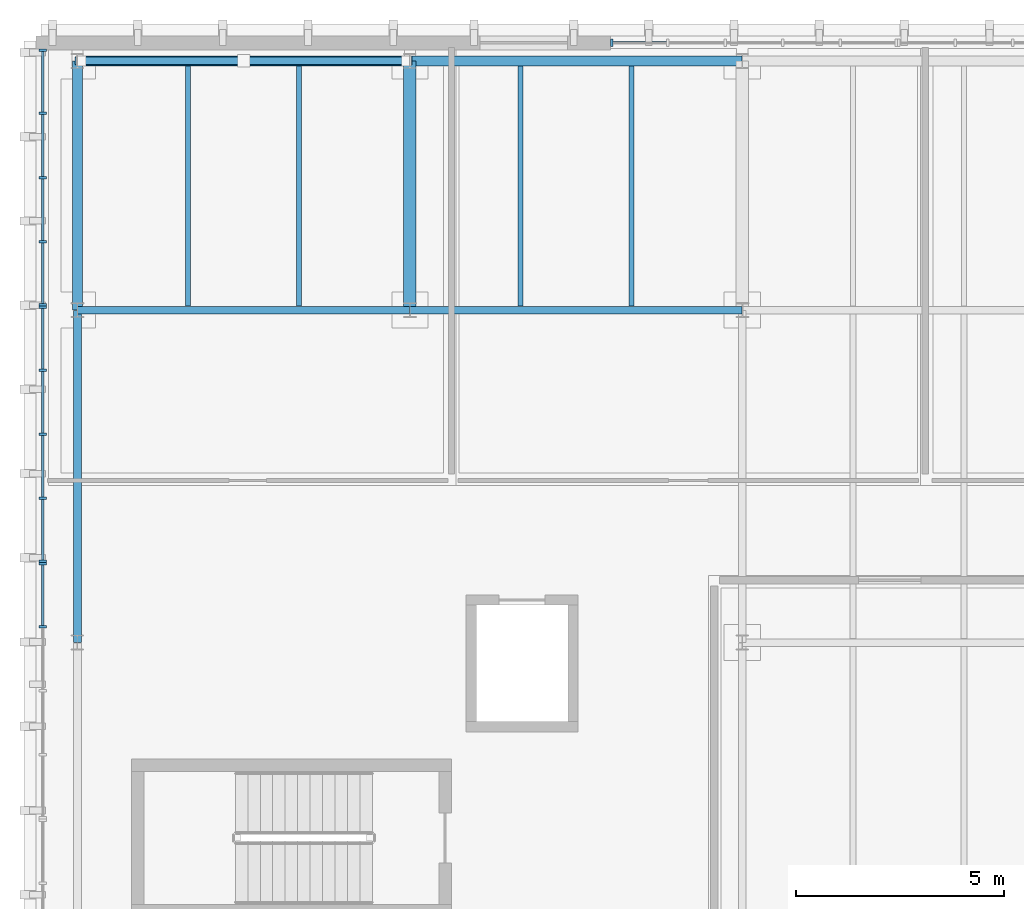
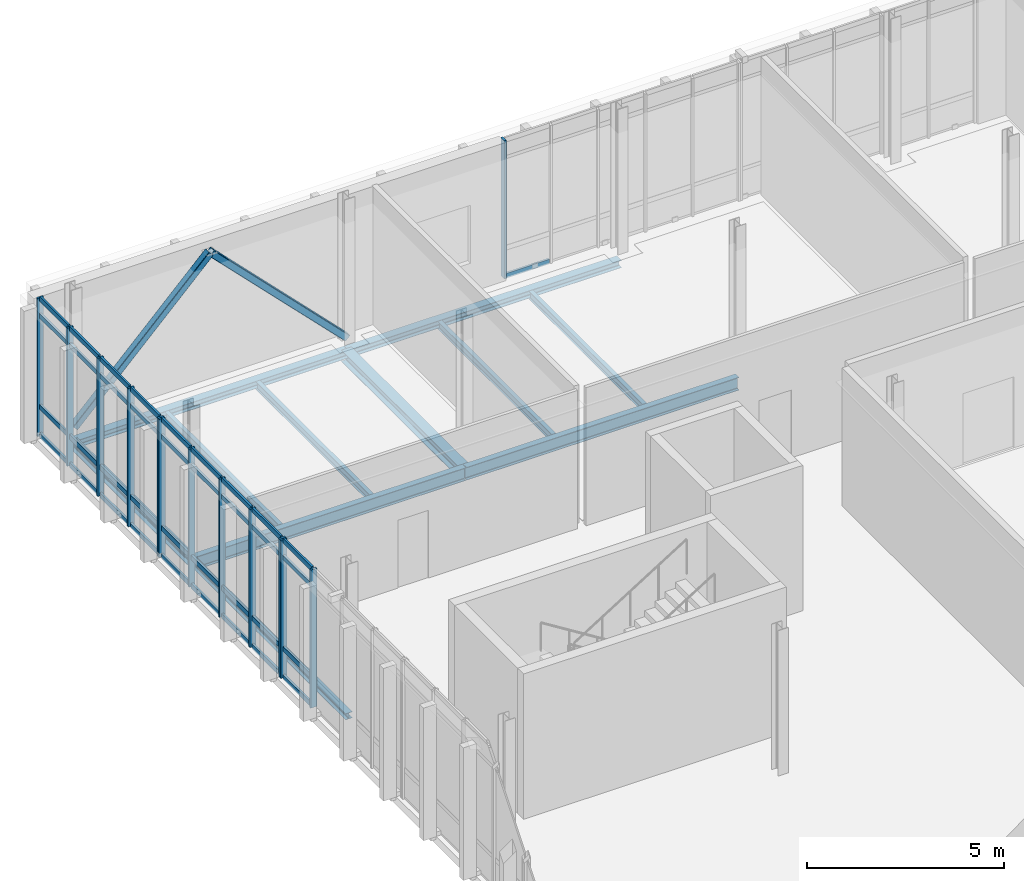
# One storey, part 22 of 62: 52 members, 11 beams, 4 elements without a shape of their own.
"""IFC4 building model written with IfcOpenShell, lengths in metres."""

from ifc_helpers import new_model, si_unit, direction, frame, origin, origin_2d, place, context, subcontext, project, spatial, rectangle, hollow_rectangle, i_section, extrude, material, material_profile, profile_set, type_object, element, aggregate, save


model = new_model("IFC4")

# Units and contexts
model_context = context("Model", 3, precision=1e-05, world=origin(), true_north=direction((0.0, 1.0)))
body_context = subcontext(model_context, "Body", "Model", "MODEL_VIEW")
ifc_project = project(units=[si_unit("LENGTHUNIT", "METRE"), si_unit("AREAUNIT", "SQUARE_METRE"), si_unit("VOLUMEUNIT", "CUBIC_METRE"), si_unit("PLANEANGLEUNIT", "RADIAN"), si_unit("MASSUNIT", "GRAM", prefix="KILO")], contexts=[model_context])

# Site, building, storey
site_placement = place(None, origin())
site = spatial("IfcSite", under=ifc_project, at=site_placement, CompositionType="ELEMENT")
building_placement = place(site_placement, origin())
building = spatial("IfcBuilding", under=site, at=building_placement, Name="Cymarion Research Institute", CompositionType="ELEMENT")
storey_placement = place(building_placement, frame((0.0, 0.0, 18.300048828125)))
storey = spatial("IfcBuildingStorey", under=building, at=storey_placement, Name="L04", CompositionType="ELEMENT", Elevation=18.300048828125)

# Curtain wall, member
ifc_material_1 = material(Name="Anodised aluminium unitised curtain wall with Low-E glazing", Category="aluminium")
curtain_wall_type_1 = type_object("IfcCurtainWallType", Name="UNITISED CURTAIN WALL CW44 6910X4280", PredefinedType="NOTDEFINED", material=ifc_material_1)
curtain_wall_1_placement = place(storey_placement, origin())
curtain_wall_1 = element("IfcCurtainWall", 1, at=curtain_wall_1_placement, inside=storey, type_object=curtain_wall_type_1, Name="L04 V5 unitised curtain wall CW44 #194", PredefinedType="NOTDEFINED")
ifc_material_2 = material(Name="Anodised aluminium framing", Category="aluminium")
ifc_material_profile_1 = material_profile(ifc_material_2, rectangle(XDim=0.06005859375, YDim=0.179931640625, at=origin_2d()), Name="ALU MULLION 60x180")
ifc_profile_set_1 = profile_set([ifc_material_profile_1], Name="Anodised aluminium framing")
member_type_1 = type_object("IfcMemberType", Name="CURTAIN WALL MULLION ML01 60X180", PredefinedType="MULLION", material=ifc_profile_set_1)
member_1_placement = place(storey_placement, frame((19.4560546875, 115.929931640625, 0.0), z_axis=(0.0, 0.0, 1.0), x_axis=(-1.0, 0.0, 0.0)))
member_1 = element("IfcMember", 2, at=member_1_placement, type_object=member_type_1, Name="CW44 mullion 6", PredefinedType="MULLION", context=body_context, shape_type="SweptSolid", body=[
    extrude(rectangle(XDim=0.06005859375, YDim=0.179931640625, at=origin_2d()), origin(), (0.0, 0.0, 1.0), 4.280029296875),
])

# Curtain wall, members
curtain_wall_type_2 = type_object("IfcCurtainWallType", Name="UNITISED CURTAIN WALL CW45 6180X4280", PredefinedType="NOTDEFINED", material=ifc_material_1)
curtain_wall_2_placement = place(storey_placement, origin())
curtain_wall_2 = element("IfcCurtainWall", 3, at=curtain_wall_2_placement, inside=storey, type_object=curtain_wall_type_2, Name="L04 V5 unitised curtain wall CW45 #195", PredefinedType="NOTDEFINED")
member_2_placement = place(storey_placement, frame((5.77001953125, 115.748046875, 0.0), z_axis=(0.0, 0.0, 1.0), x_axis=(0.0, -1.0, 0.0)))
member_2 = element("IfcMember", 4, at=member_2_placement, type_object=member_type_1, Name="CW45 mullion 1", PredefinedType="MULLION", context=body_context, shape_type="SweptSolid", body=[
    extrude(rectangle(XDim=0.06005859375, YDim=0.179931640625, at=origin_2d()), origin(), (0.0, 0.0, 1.0), 4.280029296875),
])
member_3_placement = place(storey_placement, frame((5.77001953125, 114.234130859375, 0.0), z_axis=(0.0, 0.0, 1.0), x_axis=(0.0, -1.0, 0.0)))
member_3 = element("IfcMember", 5, at=member_3_placement, type_object=member_type_1, Name="CW45 mullion 2", PredefinedType="MULLION", context=body_context, shape_type="SweptSolid", body=[
    extrude(rectangle(XDim=0.06005859375, YDim=0.179931640625, at=origin_2d()), origin(), (0.0, 0.0, 1.0), 4.280029296875),
])
member_4_placement = place(storey_placement, frame((5.77001953125, 112.690185546875, 0.0), z_axis=(0.0, 0.0, 1.0), x_axis=(0.0, -1.0, 0.0)))
member_4 = element("IfcMember", 6, at=member_4_placement, type_object=member_type_1, Name="CW45 mullion 3", PredefinedType="MULLION", context=body_context, shape_type="SweptSolid", body=[
    extrude(rectangle(XDim=0.06005859375, YDim=0.179931640625, at=origin_2d()), origin(), (0.0, 0.0, 1.0), 4.280029296875),
])
member_5_placement = place(storey_placement, frame((5.77001953125, 111.146240234375, 0.0), z_axis=(0.0, 0.0, 1.0), x_axis=(0.0, -1.0, 0.0)))
member_5 = element("IfcMember", 7, at=member_5_placement, type_object=member_type_1, Name="CW45 mullion 4", PredefinedType="MULLION", context=body_context, shape_type="SweptSolid", body=[
    extrude(rectangle(XDim=0.06005859375, YDim=0.179931640625, at=origin_2d()), origin(), (0.0, 0.0, 1.0), 4.280029296875),
])
member_6_placement = place(storey_placement, frame((5.77001953125, 109.63232421875, 0.0), z_axis=(0.0, 0.0, 1.0), x_axis=(0.0, -1.0, 0.0)))
member_6 = element("IfcMember", 8, at=member_6_placement, type_object=member_type_1, Name="CW45 mullion 5", PredefinedType="MULLION", context=body_context, shape_type="SweptSolid", body=[
    extrude(rectangle(XDim=0.06005859375, YDim=0.179931640625, at=origin_2d()), origin(), (0.0, 0.0, 1.0), 4.280029296875),
])

curtain_wall_3_placement = place(storey_placement, origin())
curtain_wall_3 = element("IfcCurtainWall", 9, at=curtain_wall_3_placement, inside=storey, type_object=curtain_wall_type_2, Name="L04 V5 unitised curtain wall CW45 #196", PredefinedType="NOTDEFINED")
member_7_placement = place(storey_placement, frame((5.77001953125, 109.572509765625, 0.0), z_axis=(0.0, 0.0, 1.0), x_axis=(0.0, -1.0, 0.0)))
member_7 = element("IfcMember", 10, at=member_7_placement, type_object=member_type_1, Name="CW45 mullion 1", PredefinedType="MULLION", context=body_context, shape_type="SweptSolid", body=[
    extrude(rectangle(XDim=0.06005859375, YDim=0.179931640625, at=origin_2d()), origin(), (0.0, 0.0, 1.0), 4.280029296875),
])
member_8_placement = place(storey_placement, frame((5.77001953125, 108.05859375, 0.0), z_axis=(0.0, 0.0, 1.0), x_axis=(0.0, -1.0, 0.0)))
member_8 = element("IfcMember", 11, at=member_8_placement, type_object=member_type_1, Name="CW45 mullion 2", PredefinedType="MULLION", context=body_context, shape_type="SweptSolid", body=[
    extrude(rectangle(XDim=0.06005859375, YDim=0.179931640625, at=origin_2d()), origin(), (0.0, 0.0, 1.0), 4.280029296875),
])
member_9_placement = place(storey_placement, frame((5.77001953125, 106.5146484375, 0.0), z_axis=(0.0, 0.0, 1.0), x_axis=(0.0, -1.0, 0.0)))
member_9 = element("IfcMember", 12, at=member_9_placement, type_object=member_type_1, Name="CW45 mullion 3", PredefinedType="MULLION", context=body_context, shape_type="SweptSolid", body=[
    extrude(rectangle(XDim=0.06005859375, YDim=0.179931640625, at=origin_2d()), origin(), (0.0, 0.0, 1.0), 4.280029296875),
])
member_10_placement = place(storey_placement, frame((5.77001953125, 104.970703125, 0.0), z_axis=(0.0, 0.0, 1.0), x_axis=(0.0, -1.0, 0.0)))
member_10 = element("IfcMember", 13, at=member_10_placement, type_object=member_type_1, Name="CW45 mullion 4", PredefinedType="MULLION", context=body_context, shape_type="SweptSolid", body=[
    extrude(rectangle(XDim=0.06005859375, YDim=0.179931640625, at=origin_2d()), origin(), (0.0, 0.0, 1.0), 4.280029296875),
])
member_11_placement = place(storey_placement, frame((5.77001953125, 103.456787109375, 0.0), z_axis=(0.0, 0.0, 1.0), x_axis=(0.0, -1.0, 0.0)))
member_11 = element("IfcMember", 14, at=member_11_placement, type_object=member_type_1, Name="CW45 mullion 5", PredefinedType="MULLION", context=body_context, shape_type="SweptSolid", body=[
    extrude(rectangle(XDim=0.06005859375, YDim=0.179931640625, at=origin_2d()), origin(), (0.0, 0.0, 1.0), 4.280029296875),
])

curtain_wall_4_placement = place(storey_placement, origin())
curtain_wall_4 = element("IfcCurtainWall", 15, at=curtain_wall_4_placement, inside=storey, type_object=curtain_wall_type_2, Name="L04 V5 unitised curtain wall CW45 #197", PredefinedType="NOTDEFINED")
member_12_placement = place(storey_placement, frame((5.77001953125, 103.396728515625, 0.0), z_axis=(0.0, 0.0, 1.0), x_axis=(0.0, -1.0, 0.0)))
member_12 = element("IfcMember", 16, at=member_12_placement, type_object=member_type_1, Name="CW45 mullion 1", PredefinedType="MULLION", context=body_context, shape_type="SweptSolid", body=[
    extrude(rectangle(XDim=0.06005859375, YDim=0.179931640625, at=origin_2d()), origin(), (0.0, 0.0, 1.0), 4.280029296875),
])
member_13_placement = place(storey_placement, frame((5.77001953125, 101.8828125, 0.0), z_axis=(0.0, 0.0, 1.0), x_axis=(0.0, -1.0, 0.0)))
member_13 = element("IfcMember", 17, at=member_13_placement, type_object=member_type_1, Name="CW45 mullion 2", PredefinedType="MULLION", context=body_context, shape_type="SweptSolid", body=[
    extrude(rectangle(XDim=0.06005859375, YDim=0.179931640625, at=origin_2d()), origin(), (0.0, 0.0, 1.0), 4.280029296875),
])

# Member
ifc_material_profile_2 = material_profile(ifc_material_2, rectangle(XDim=0.06005859375, YDim=0.14990234375, at=origin_2d()), Name="ALU TRANSOM 60x150")
ifc_profile_set_2 = profile_set([ifc_material_profile_2], Name="Anodised aluminium framing")
member_type_2 = type_object("IfcMemberType", Name="CURTAIN WALL TRANSOM TR01 60X150", PredefinedType="USERDEFINED", material=ifc_profile_set_2)
member_14_placement = place(storey_placement, frame((20.778564453125, 115.929931640625, 0.030029296875), z_axis=(-1.0, 0.0, 0.0), x_axis=(0.0, -1.0, 0.0)))
member_14 = element("IfcMember", 18, at=member_14_placement, type_object=member_type_2, Name="CW44 transom 5.1", ObjectType="TRANSOM", PredefinedType="USERDEFINED", context=body_context, shape_type="SweptSolid", body=[
    extrude(rectangle(XDim=0.06005859375, YDim=0.14990234375, at=origin_2d()), origin(), (0.0, 0.0, 1.0), 1.29248046875),
])

aggregate(curtain_wall_1, [member_1, member_14])

member_15_placement = place(storey_placement, frame((5.77001953125, 115.718017578125, 0.030029296875), z_axis=(0.0, -1.0, 0.0), x_axis=(1.0, 0.0, 0.0)))
member_15 = element("IfcMember", 19, at=member_15_placement, type_object=member_type_2, Name="CW45 transom 1.1", ObjectType="TRANSOM", PredefinedType="USERDEFINED", context=body_context, shape_type="SweptSolid", body=[
    extrude(rectangle(XDim=0.06005859375, YDim=0.14990234375, at=origin_2d()), origin(), (0.0, 0.0, 1.0), 1.453857421875),
])

member_16_placement = place(storey_placement, frame((5.77001953125, 115.718017578125, 0.89990234375), z_axis=(0.0, -1.0, 0.0), x_axis=(1.0, 0.0, 0.0)))
member_16 = element("IfcMember", 20, at=member_16_placement, type_object=member_type_2, Name="CW45 transom 1.2", ObjectType="TRANSOM", PredefinedType="USERDEFINED", context=body_context, shape_type="SweptSolid", body=[
    extrude(rectangle(XDim=0.06005859375, YDim=0.14990234375, at=origin_2d()), origin(), (0.0, 0.0, 1.0), 1.453857421875),
])

member_17_placement = place(storey_placement, frame((5.77001953125, 115.718017578125, 3.72998046875), z_axis=(0.0, -1.0, 0.0), x_axis=(1.0, 0.0, 0.0)))
member_17 = element("IfcMember", 21, at=member_17_placement, type_object=member_type_2, Name="CW45 transom 1.3", ObjectType="TRANSOM", PredefinedType="USERDEFINED", context=body_context, shape_type="SweptSolid", body=[
    extrude(rectangle(XDim=0.06005859375, YDim=0.14990234375, at=origin_2d()), origin(), (0.0, 0.0, 1.0), 1.453857421875),
])

member_18_placement = place(storey_placement, frame((5.77001953125, 115.718017578125, 4.25), z_axis=(0.0, -1.0, 0.0), x_axis=(1.0, 0.0, 0.0)))
member_18 = element("IfcMember", 22, at=member_18_placement, type_object=member_type_2, Name="CW45 transom 1.4", ObjectType="TRANSOM", PredefinedType="USERDEFINED", context=body_context, shape_type="SweptSolid", body=[
    extrude(rectangle(XDim=0.06005859375, YDim=0.14990234375, at=origin_2d()), origin(), (0.0, 0.0, 1.0), 1.453857421875),
])

member_19_placement = place(storey_placement, frame((5.77001953125, 114.2041015625, 0.030029296875), z_axis=(0.0, -1.0, 0.0), x_axis=(1.0, 0.0, 0.0)))
member_19 = element("IfcMember", 23, at=member_19_placement, type_object=member_type_2, Name="CW45 transom 2.1", ObjectType="TRANSOM", PredefinedType="USERDEFINED", context=body_context, shape_type="SweptSolid", body=[
    extrude(rectangle(XDim=0.06005859375, YDim=0.14990234375, at=origin_2d()), origin(), (0.0, 0.0, 1.0), 1.48388671875),
])

member_20_placement = place(storey_placement, frame((5.77001953125, 114.2041015625, 0.89990234375), z_axis=(0.0, -1.0, 0.0), x_axis=(1.0, 0.0, 0.0)))
member_20 = element("IfcMember", 24, at=member_20_placement, type_object=member_type_2, Name="CW45 transom 2.2", ObjectType="TRANSOM", PredefinedType="USERDEFINED", context=body_context, shape_type="SweptSolid", body=[
    extrude(rectangle(XDim=0.06005859375, YDim=0.14990234375, at=origin_2d()), origin(), (0.0, 0.0, 1.0), 1.48388671875),
])

member_21_placement = place(storey_placement, frame((5.77001953125, 114.2041015625, 3.72998046875), z_axis=(0.0, -1.0, 0.0), x_axis=(1.0, 0.0, 0.0)))
member_21 = element("IfcMember", 25, at=member_21_placement, type_object=member_type_2, Name="CW45 transom 2.3", ObjectType="TRANSOM", PredefinedType="USERDEFINED", context=body_context, shape_type="SweptSolid", body=[
    extrude(rectangle(XDim=0.06005859375, YDim=0.14990234375, at=origin_2d()), origin(), (0.0, 0.0, 1.0), 1.48388671875),
])

member_22_placement = place(storey_placement, frame((5.77001953125, 114.2041015625, 4.25), z_axis=(0.0, -1.0, 0.0), x_axis=(1.0, 0.0, 0.0)))
member_22 = element("IfcMember", 26, at=member_22_placement, type_object=member_type_2, Name="CW45 transom 2.4", ObjectType="TRANSOM", PredefinedType="USERDEFINED", context=body_context, shape_type="SweptSolid", body=[
    extrude(rectangle(XDim=0.06005859375, YDim=0.14990234375, at=origin_2d()), origin(), (0.0, 0.0, 1.0), 1.48388671875),
])

member_23_placement = place(storey_placement, frame((5.77001953125, 112.66015625, 0.030029296875), z_axis=(0.0, -1.0, 0.0), x_axis=(1.0, 0.0, 0.0)))
member_23 = element("IfcMember", 27, at=member_23_placement, type_object=member_type_2, Name="CW45 transom 3.1", ObjectType="TRANSOM", PredefinedType="USERDEFINED", context=body_context, shape_type="SweptSolid", body=[
    extrude(rectangle(XDim=0.06005859375, YDim=0.14990234375, at=origin_2d()), origin(), (0.0, 0.0, 1.0), 1.48388671875),
])

member_24_placement = place(storey_placement, frame((5.77001953125, 112.66015625, 0.89990234375), z_axis=(0.0, -1.0, 0.0), x_axis=(1.0, 0.0, 0.0)))
member_24 = element("IfcMember", 28, at=member_24_placement, type_object=member_type_2, Name="CW45 transom 3.2", ObjectType="TRANSOM", PredefinedType="USERDEFINED", context=body_context, shape_type="SweptSolid", body=[
    extrude(rectangle(XDim=0.06005859375, YDim=0.14990234375, at=origin_2d()), origin(), (0.0, 0.0, 1.0), 1.48388671875),
])

member_25_placement = place(storey_placement, frame((5.77001953125, 112.66015625, 3.72998046875), z_axis=(0.0, -1.0, 0.0), x_axis=(1.0, 0.0, 0.0)))
member_25 = element("IfcMember", 29, at=member_25_placement, type_object=member_type_2, Name="CW45 transom 3.3", ObjectType="TRANSOM", PredefinedType="USERDEFINED", context=body_context, shape_type="SweptSolid", body=[
    extrude(rectangle(XDim=0.06005859375, YDim=0.14990234375, at=origin_2d()), origin(), (0.0, 0.0, 1.0), 1.48388671875),
])

member_26_placement = place(storey_placement, frame((5.77001953125, 112.66015625, 4.25), z_axis=(0.0, -1.0, 0.0), x_axis=(1.0, 0.0, 0.0)))
member_26 = element("IfcMember", 30, at=member_26_placement, type_object=member_type_2, Name="CW45 transom 3.4", ObjectType="TRANSOM", PredefinedType="USERDEFINED", context=body_context, shape_type="SweptSolid", body=[
    extrude(rectangle(XDim=0.06005859375, YDim=0.14990234375, at=origin_2d()), origin(), (0.0, 0.0, 1.0), 1.48388671875),
])

member_27_placement = place(storey_placement, frame((5.77001953125, 111.1162109375, 0.030029296875), z_axis=(0.0, -1.0, 0.0), x_axis=(1.0, 0.0, 0.0)))
member_27 = element("IfcMember", 31, at=member_27_placement, type_object=member_type_2, Name="CW45 transom 4.1", ObjectType="TRANSOM", PredefinedType="USERDEFINED", context=body_context, shape_type="SweptSolid", body=[
    extrude(rectangle(XDim=0.06005859375, YDim=0.14990234375, at=origin_2d()), origin(), (0.0, 0.0, 1.0), 1.453857421875),
])

member_28_placement = place(storey_placement, frame((5.77001953125, 111.1162109375, 0.89990234375), z_axis=(0.0, -1.0, 0.0), x_axis=(1.0, 0.0, 0.0)))
member_28 = element("IfcMember", 32, at=member_28_placement, type_object=member_type_2, Name="CW45 transom 4.2", ObjectType="TRANSOM", PredefinedType="USERDEFINED", context=body_context, shape_type="SweptSolid", body=[
    extrude(rectangle(XDim=0.06005859375, YDim=0.14990234375, at=origin_2d()), origin(), (0.0, 0.0, 1.0), 1.453857421875),
])

member_29_placement = place(storey_placement, frame((5.77001953125, 111.1162109375, 3.72998046875), z_axis=(0.0, -1.0, 0.0), x_axis=(1.0, 0.0, 0.0)))
member_29 = element("IfcMember", 33, at=member_29_placement, type_object=member_type_2, Name="CW45 transom 4.3", ObjectType="TRANSOM", PredefinedType="USERDEFINED", context=body_context, shape_type="SweptSolid", body=[
    extrude(rectangle(XDim=0.06005859375, YDim=0.14990234375, at=origin_2d()), origin(), (0.0, 0.0, 1.0), 1.453857421875),
])

member_30_placement = place(storey_placement, frame((5.77001953125, 111.1162109375, 4.25), z_axis=(0.0, -1.0, 0.0), x_axis=(1.0, 0.0, 0.0)))
member_30 = element("IfcMember", 34, at=member_30_placement, type_object=member_type_2, Name="CW45 transom 4.4", ObjectType="TRANSOM", PredefinedType="USERDEFINED", context=body_context, shape_type="SweptSolid", body=[
    extrude(rectangle(XDim=0.06005859375, YDim=0.14990234375, at=origin_2d()), origin(), (0.0, 0.0, 1.0), 1.453857421875),
])

aggregate(curtain_wall_2, [member_2, member_3, member_4, member_5, member_6, member_15, member_16, member_17, member_18, member_19, member_20, member_21, member_22, member_23, member_24, member_25, member_26, member_27, member_28, member_29, member_30])

member_31_placement = place(storey_placement, frame((5.77001953125, 109.54248046875, 0.030029296875), z_axis=(0.0, -1.0, 0.0), x_axis=(1.0, 0.0, 0.0)))
member_31 = element("IfcMember", 35, at=member_31_placement, type_object=member_type_2, Name="CW45 transom 1.1", ObjectType="TRANSOM", PredefinedType="USERDEFINED", context=body_context, shape_type="SweptSolid", body=[
    extrude(rectangle(XDim=0.06005859375, YDim=0.14990234375, at=origin_2d()), origin(), (0.0, 0.0, 1.0), 1.4541015625),
])

member_32_placement = place(storey_placement, frame((5.77001953125, 109.54248046875, 0.89990234375), z_axis=(0.0, -1.0, 0.0), x_axis=(1.0, 0.0, 0.0)))
member_32 = element("IfcMember", 36, at=member_32_placement, type_object=member_type_2, Name="CW45 transom 1.2", ObjectType="TRANSOM", PredefinedType="USERDEFINED", context=body_context, shape_type="SweptSolid", body=[
    extrude(rectangle(XDim=0.06005859375, YDim=0.14990234375, at=origin_2d()), origin(), (0.0, 0.0, 1.0), 1.4541015625),
])

member_33_placement = place(storey_placement, frame((5.77001953125, 109.54248046875, 3.72998046875), z_axis=(0.0, -1.0, 0.0), x_axis=(1.0, 0.0, 0.0)))
member_33 = element("IfcMember", 37, at=member_33_placement, type_object=member_type_2, Name="CW45 transom 1.3", ObjectType="TRANSOM", PredefinedType="USERDEFINED", context=body_context, shape_type="SweptSolid", body=[
    extrude(rectangle(XDim=0.06005859375, YDim=0.14990234375, at=origin_2d()), origin(), (0.0, 0.0, 1.0), 1.4541015625),
])

member_34_placement = place(storey_placement, frame((5.77001953125, 109.54248046875, 4.25), z_axis=(0.0, -1.0, 0.0), x_axis=(1.0, 0.0, 0.0)))
member_34 = element("IfcMember", 38, at=member_34_placement, type_object=member_type_2, Name="CW45 transom 1.4", ObjectType="TRANSOM", PredefinedType="USERDEFINED", context=body_context, shape_type="SweptSolid", body=[
    extrude(rectangle(XDim=0.06005859375, YDim=0.14990234375, at=origin_2d()), origin(), (0.0, 0.0, 1.0), 1.4541015625),
])

member_35_placement = place(storey_placement, frame((5.77001953125, 108.028564453125, 0.030029296875), z_axis=(0.0, -1.0, 0.0), x_axis=(1.0, 0.0, 0.0)))
member_35 = element("IfcMember", 39, at=member_35_placement, type_object=member_type_2, Name="CW45 transom 2.1", ObjectType="TRANSOM", PredefinedType="USERDEFINED", context=body_context, shape_type="SweptSolid", body=[
    extrude(rectangle(XDim=0.06005859375, YDim=0.14990234375, at=origin_2d()), origin(), (0.0, 0.0, 1.0), 1.48388671875),
])

member_36_placement = place(storey_placement, frame((5.77001953125, 108.028564453125, 0.89990234375), z_axis=(0.0, -1.0, 0.0), x_axis=(1.0, 0.0, 0.0)))
member_36 = element("IfcMember", 40, at=member_36_placement, type_object=member_type_2, Name="CW45 transom 2.2", ObjectType="TRANSOM", PredefinedType="USERDEFINED", context=body_context, shape_type="SweptSolid", body=[
    extrude(rectangle(XDim=0.06005859375, YDim=0.14990234375, at=origin_2d()), origin(), (0.0, 0.0, 1.0), 1.48388671875),
])

member_37_placement = place(storey_placement, frame((5.77001953125, 108.028564453125, 3.72998046875), z_axis=(0.0, -1.0, 0.0), x_axis=(1.0, 0.0, 0.0)))
member_37 = element("IfcMember", 41, at=member_37_placement, type_object=member_type_2, Name="CW45 transom 2.3", ObjectType="TRANSOM", PredefinedType="USERDEFINED", context=body_context, shape_type="SweptSolid", body=[
    extrude(rectangle(XDim=0.06005859375, YDim=0.14990234375, at=origin_2d()), origin(), (0.0, 0.0, 1.0), 1.48388671875),
])

member_38_placement = place(storey_placement, frame((5.77001953125, 108.028564453125, 4.25), z_axis=(0.0, -1.0, 0.0), x_axis=(1.0, 0.0, 0.0)))
member_38 = element("IfcMember", 42, at=member_38_placement, type_object=member_type_2, Name="CW45 transom 2.4", ObjectType="TRANSOM", PredefinedType="USERDEFINED", context=body_context, shape_type="SweptSolid", body=[
    extrude(rectangle(XDim=0.06005859375, YDim=0.14990234375, at=origin_2d()), origin(), (0.0, 0.0, 1.0), 1.48388671875),
])

member_39_placement = place(storey_placement, frame((5.77001953125, 106.484619140625, 0.030029296875), z_axis=(0.0, -1.0, 0.0), x_axis=(1.0, 0.0, 0.0)))
member_39 = element("IfcMember", 43, at=member_39_placement, type_object=member_type_2, Name="CW45 transom 3.1", ObjectType="TRANSOM", PredefinedType="USERDEFINED", context=body_context, shape_type="SweptSolid", body=[
    extrude(rectangle(XDim=0.06005859375, YDim=0.14990234375, at=origin_2d()), origin(), (0.0, 0.0, 1.0), 1.48388671875),
])

member_40_placement = place(storey_placement, frame((5.77001953125, 106.484619140625, 0.89990234375), z_axis=(0.0, -1.0, 0.0), x_axis=(1.0, 0.0, 0.0)))
member_40 = element("IfcMember", 44, at=member_40_placement, type_object=member_type_2, Name="CW45 transom 3.2", ObjectType="TRANSOM", PredefinedType="USERDEFINED", context=body_context, shape_type="SweptSolid", body=[
    extrude(rectangle(XDim=0.06005859375, YDim=0.14990234375, at=origin_2d()), origin(), (0.0, 0.0, 1.0), 1.48388671875),
])

member_41_placement = place(storey_placement, frame((5.77001953125, 106.484619140625, 3.72998046875), z_axis=(0.0, -1.0, 0.0), x_axis=(1.0, 0.0, 0.0)))
member_41 = element("IfcMember", 45, at=member_41_placement, type_object=member_type_2, Name="CW45 transom 3.3", ObjectType="TRANSOM", PredefinedType="USERDEFINED", context=body_context, shape_type="SweptSolid", body=[
    extrude(rectangle(XDim=0.06005859375, YDim=0.14990234375, at=origin_2d()), origin(), (0.0, 0.0, 1.0), 1.48388671875),
])

member_42_placement = place(storey_placement, frame((5.77001953125, 106.484619140625, 4.25), z_axis=(0.0, -1.0, 0.0), x_axis=(1.0, 0.0, 0.0)))
member_42 = element("IfcMember", 46, at=member_42_placement, type_object=member_type_2, Name="CW45 transom 3.4", ObjectType="TRANSOM", PredefinedType="USERDEFINED", context=body_context, shape_type="SweptSolid", body=[
    extrude(rectangle(XDim=0.06005859375, YDim=0.14990234375, at=origin_2d()), origin(), (0.0, 0.0, 1.0), 1.48388671875),
])

member_43_placement = place(storey_placement, frame((5.77001953125, 104.940673828125, 0.030029296875), z_axis=(0.0, -1.0, 0.0), x_axis=(1.0, 0.0, 0.0)))
member_43 = element("IfcMember", 47, at=member_43_placement, type_object=member_type_2, Name="CW45 transom 4.1", ObjectType="TRANSOM", PredefinedType="USERDEFINED", context=body_context, shape_type="SweptSolid", body=[
    extrude(rectangle(XDim=0.06005859375, YDim=0.14990234375, at=origin_2d()), origin(), (0.0, 0.0, 1.0), 1.453857421875),
])

member_44_placement = place(storey_placement, frame((5.77001953125, 104.940673828125, 0.89990234375), z_axis=(0.0, -1.0, 0.0), x_axis=(1.0, 0.0, 0.0)))
member_44 = element("IfcMember", 48, at=member_44_placement, type_object=member_type_2, Name="CW45 transom 4.2", ObjectType="TRANSOM", PredefinedType="USERDEFINED", context=body_context, shape_type="SweptSolid", body=[
    extrude(rectangle(XDim=0.06005859375, YDim=0.14990234375, at=origin_2d()), origin(), (0.0, 0.0, 1.0), 1.453857421875),
])

member_45_placement = place(storey_placement, frame((5.77001953125, 104.940673828125, 3.72998046875), z_axis=(0.0, -1.0, 0.0), x_axis=(1.0, 0.0, 0.0)))
member_45 = element("IfcMember", 49, at=member_45_placement, type_object=member_type_2, Name="CW45 transom 4.3", ObjectType="TRANSOM", PredefinedType="USERDEFINED", context=body_context, shape_type="SweptSolid", body=[
    extrude(rectangle(XDim=0.06005859375, YDim=0.14990234375, at=origin_2d()), origin(), (0.0, 0.0, 1.0), 1.453857421875),
])

member_46_placement = place(storey_placement, frame((5.77001953125, 104.940673828125, 4.25), z_axis=(0.0, -1.0, 0.0), x_axis=(1.0, 0.0, 0.0)))
member_46 = element("IfcMember", 50, at=member_46_placement, type_object=member_type_2, Name="CW45 transom 4.4", ObjectType="TRANSOM", PredefinedType="USERDEFINED", context=body_context, shape_type="SweptSolid", body=[
    extrude(rectangle(XDim=0.06005859375, YDim=0.14990234375, at=origin_2d()), origin(), (0.0, 0.0, 1.0), 1.453857421875),
])

aggregate(curtain_wall_3, [member_7, member_8, member_9, member_10, member_11, member_31, member_32, member_33, member_34, member_35, member_36, member_37, member_38, member_39, member_40, member_41, member_42, member_43, member_44, member_45, member_46])

member_47_placement = place(storey_placement, frame((5.77001953125, 103.36669921875, 0.030029296875), z_axis=(0.0, -1.0, 0.0), x_axis=(1.0, 0.0, 0.0)))
member_47 = element("IfcMember", 51, at=member_47_placement, type_object=member_type_2, Name="CW45 transom 1.1", ObjectType="TRANSOM", PredefinedType="USERDEFINED", context=body_context, shape_type="SweptSolid", body=[
    extrude(rectangle(XDim=0.06005859375, YDim=0.14990234375, at=origin_2d()), origin(), (0.0, 0.0, 1.0), 1.453857421875),
])

member_48_placement = place(storey_placement, frame((5.77001953125, 103.36669921875, 0.89990234375), z_axis=(0.0, -1.0, 0.0), x_axis=(1.0, 0.0, 0.0)))
member_48 = element("IfcMember", 52, at=member_48_placement, type_object=member_type_2, Name="CW45 transom 1.2", ObjectType="TRANSOM", PredefinedType="USERDEFINED", context=body_context, shape_type="SweptSolid", body=[
    extrude(rectangle(XDim=0.06005859375, YDim=0.14990234375, at=origin_2d()), origin(), (0.0, 0.0, 1.0), 1.453857421875),
])

member_49_placement = place(storey_placement, frame((5.77001953125, 103.36669921875, 3.72998046875), z_axis=(0.0, -1.0, 0.0), x_axis=(1.0, 0.0, 0.0)))
member_49 = element("IfcMember", 53, at=member_49_placement, type_object=member_type_2, Name="CW45 transom 1.3", ObjectType="TRANSOM", PredefinedType="USERDEFINED", context=body_context, shape_type="SweptSolid", body=[
    extrude(rectangle(XDim=0.06005859375, YDim=0.14990234375, at=origin_2d()), origin(), (0.0, 0.0, 1.0), 1.453857421875),
])

member_50_placement = place(storey_placement, frame((5.77001953125, 103.36669921875, 4.25), z_axis=(0.0, -1.0, 0.0), x_axis=(1.0, 0.0, 0.0)))
member_50 = element("IfcMember", 54, at=member_50_placement, type_object=member_type_2, Name="CW45 transom 1.4", ObjectType="TRANSOM", PredefinedType="USERDEFINED", context=body_context, shape_type="SweptSolid", body=[
    extrude(rectangle(XDim=0.06005859375, YDim=0.14990234375, at=origin_2d()), origin(), (0.0, 0.0, 1.0), 1.453857421875),
])

aggregate(curtain_wall_4, [member_12, member_13, member_47, member_48, member_49, member_50])

# Beams
ifc_material_3 = material(Name="Steel S355", Category="steel")
ifc_material_profile_3 = material_profile(ifc_material_3, i_section(OverallWidth=0.179931640625, OverallDepth=0.39990234375, WebThickness=0.008544921875, FlangeThickness=0.013427734375, FilletRadius=0.02099609375, at=origin_2d()), Name="IPE 400")
ifc_profile_set_3 = profile_set([ifc_material_profile_3], Name="Steel S355")
beam_type_1 = type_object("IfcBeamType", Name="PRIMARY GIRDER BM05 IPE 400", PredefinedType="BEAM", material=ifc_profile_set_3)
for number, where, z_axis, x_axis, name in (
    (55, (6.60595703125, 109.5, -0.449951171875), (1.0, 0.0, 0.0), (0.0, 1.0, 0.0), "L04 V5 girder BM05 #1787"),
    (56, (14.60595703125, 109.5, -0.449951171875), (1.0, 0.0, 0.0), (0.0, 1.0, 0.0), "L04 V5 girder BM05 #1788"),
):
    element("IfcBeam", number, at=place(storey_placement, frame(where, z_axis=z_axis, x_axis=x_axis)), inside=storey, type_object=beam_type_1, Name=name, PredefinedType="BEAM", context=body_context, shape_type="SweptSolid", body=[
        extrude(i_section(OverallWidth=0.179931640625, OverallDepth=0.39990234375, WebThickness=0.008544921875, FlangeThickness=0.013427734375, FilletRadius=0.02099609375, at=origin_2d()), origin(), (0.0, 0.0, 1.0), 7.988037109375),
    ])
ifc_material_profile_4 = material_profile(ifc_material_3, i_section(OverallWidth=0.300048828125, OverallDepth=0.35009765625, WebThickness=0.010009765625, FlangeThickness=0.017578125, FilletRadius=0.027099609375, at=origin_2d()), Name="HEA 360")
ifc_profile_set_4 = profile_set([ifc_material_profile_4], Name="Steel S355")
beam_type_2 = type_object("IfcBeamType", Name="PRIMARY GIRDER BM12 HEA 360", PredefinedType="BEAM", material=ifc_profile_set_4)
beam_1_placement = place(storey_placement, frame((14.60009765625, 109.506103515625, -0.425048828125), z_axis=(0.0, 1.0, 0.0), x_axis=(-1.0, 0.0, 0.0)))
element("IfcBeam", 57, at=beam_1_placement, inside=storey, type_object=beam_type_2, Name="L04 V5 girder BM12 #1802", PredefinedType="BEAM", context=body_context, shape_type="SweptSolid", body=[
    extrude(i_section(OverallWidth=0.300048828125, OverallDepth=0.35009765625, WebThickness=0.010009765625, FlangeThickness=0.017578125, FilletRadius=0.027099609375, at=origin_2d()), origin(), (0.0, 0.0, 1.0), 5.98779296875),
])
ifc_material_profile_5 = material_profile(ifc_material_3, i_section(OverallWidth=0.1201171875, OverallDepth=0.239990234375, WebThickness=0.006103515625, FlangeThickness=0.009765625, FilletRadius=0.014892578125, at=origin_2d()), Name="IPE 240")
ifc_profile_set_5 = profile_set([ifc_material_profile_5], Name="Steel S355")
beam_type_3 = type_object("IfcBeamType", Name="SECONDARY JOIST JS04 IPE 240", PredefinedType="JOIST", material=ifc_profile_set_5)
for number, where, z_axis, x_axis, name in (
    (58, (9.2666015625, 109.593994140625, -0.3701171875), (0.0, 1.0, 0.0), (-1.0, 0.0, 0.0), "L04 V5 secondary joist JS04 #1835"),
    (59, (11.933349609375, 109.593994140625, -0.3701171875), (0.0, 1.0, 0.0), (-1.0, 0.0, 0.0), "L04 V5 secondary joist JS04 #1836"),
    (60, (17.2666015625, 109.593994140625, -0.3701171875), (0.0, 1.0, 0.0), (-1.0, 0.0, 0.0), "L04 V5 secondary joist JS04 #1837"),
    (61, (19.933349609375, 109.593994140625, -0.3701171875), (0.0, 1.0, 0.0), (-1.0, 0.0, 0.0), "L04 V5 secondary joist JS04 #1838"),
):
    element("IfcBeam", number, at=place(storey_placement, frame(where, z_axis=z_axis, x_axis=x_axis)), inside=storey, type_object=beam_type_3, Name=name, PredefinedType="JOIST", context=body_context, shape_type="SweptSolid", body=[
        extrude(i_section(OverallWidth=0.1201171875, OverallDepth=0.239990234375, WebThickness=0.006103515625, FlangeThickness=0.009765625, FilletRadius=0.014892578125, at=origin_2d()), origin(), (0.0, 0.0, 1.0), 5.781982421875),
    ])
ifc_material_profile_6 = material_profile(ifc_material_3, i_section(OverallWidth=0.239990234375, OverallDepth=0.22998046875, WebThickness=0.007568359375, FlangeThickness=0.011962890625, FilletRadius=0.02099609375, at=origin_2d()), Name="HEA 240")
ifc_profile_set_6 = profile_set([ifc_material_profile_6], Name="Steel S355")
beam_type_4 = type_object("IfcBeamType", Name="SPANDREL BEAM SPB03 HEA 240", PredefinedType="SPANDREL", material=ifc_profile_set_6)
for number, where, z_axis, x_axis, name in (
    (62, (6.60595703125, 115.5, -0.364990234375), (1.0, 0.0, 0.0), (0.0, 1.0, 0.0), "L04 V5 girder SPB03 #1792"),
    (63, (14.60595703125, 115.5, -0.364990234375), (1.0, 0.0, 0.0), (0.0, 1.0, 0.0), "L04 V5 girder SPB03 #1793"),
):
    element("IfcBeam", number, at=place(storey_placement, frame(where, z_axis=z_axis, x_axis=x_axis)), inside=storey, type_object=beam_type_4, Name=name, PredefinedType="SPANDREL", context=body_context, shape_type="SweptSolid", body=[
        extrude(i_section(OverallWidth=0.239990234375, OverallDepth=0.22998046875, WebThickness=0.007568359375, FlangeThickness=0.011962890625, FilletRadius=0.02099609375, at=origin_2d()), origin(), (0.0, 0.0, 1.0), 7.988037109375),
    ])
beam_2_placement = place(storey_placement, frame((6.60009765625, 109.506103515625, -0.364990234375), z_axis=(0.0, 1.0, 0.0), x_axis=(-1.0, 0.0, 0.0)))
element("IfcBeam", 64, at=beam_2_placement, inside=storey, type_object=beam_type_4, Name="L04 V5 girder SPB03 #1800", PredefinedType="SPANDREL", context=body_context, shape_type="SweptSolid", body=[
    extrude(i_section(OverallWidth=0.239990234375, OverallDepth=0.22998046875, WebThickness=0.007568359375, FlangeThickness=0.011962890625, FilletRadius=0.02099609375, at=origin_2d()), origin(), (0.0, 0.0, 1.0), 5.98779296875),
])
ifc_material_profile_7 = material_profile(ifc_material_3, i_section(OverallWidth=0.199951171875, OverallDepth=0.18994140625, WebThickness=0.006591796875, FlangeThickness=0.010009765625, FilletRadius=0.01806640625, at=origin_2d()), Name="HEA 200")
ifc_profile_set_7 = profile_set([ifc_material_profile_7], Name="Steel S355")
beam_type_5 = type_object("IfcBeamType", Name="SPANDREL BEAM SPB04 HEA 200", PredefinedType="SPANDREL", material=ifc_profile_set_7)
beam_3_placement = place(storey_placement, frame((6.60009765625, 101.506103515625, -0.344970703125), z_axis=(0.0, 1.0, 0.0), x_axis=(-1.0, 0.0, 0.0)))
element("IfcBeam", 65, at=beam_3_placement, inside=storey, type_object=beam_type_5, Name="L04 V5 girder SPB04 #1799", PredefinedType="SPANDREL", context=body_context, shape_type="SweptSolid", body=[
    extrude(i_section(OverallWidth=0.199951171875, OverallDepth=0.18994140625, WebThickness=0.006591796875, FlangeThickness=0.010009765625, FilletRadius=0.01806640625, at=origin_2d()), origin(), (0.0, 0.0, 1.0), 7.98779296875),
])

# Members
ifc_material_profile_8 = material_profile(ifc_material_3, hollow_rectangle(XDim=0.199951171875, YDim=0.199951171875, WallThickness=0.010009765625, InnerFilletRadius=0.014892578125, OuterFilletRadius=0.02490234375, at=origin_2d()), Name="SHS 200x200x10")
ifc_profile_set_8 = profile_set([ifc_material_profile_8], Name="Steel S355")
member_type_3 = type_object("IfcMemberType", Name="STRUCTURAL MEMBER BR07 SHS 200x200x10", PredefinedType="BRACE", material=ifc_profile_set_8)
member_51_placement = place(storey_placement, frame((6.614013671875, 115.5, 0.119873046875), z_axis=(0.703471787466, 0.0, 0.710723183975), x_axis=(0.0, 1.0, 0.0)))
element("IfcMember", 66, at=member_51_placement, inside=storey, type_object=member_type_3, Name="L04 V5 seismic chevron brace BR07 #1", PredefinedType="BRACE", context=body_context, shape_type="SweptSolid", body=[
    extrude(hollow_rectangle(XDim=0.199951171875, YDim=0.199951171875, WallThickness=0.010009765625, InnerFilletRadius=0.014892578125, OuterFilletRadius=0.02490234375, at=origin_2d()), origin(), (0.0, 0.0, 1.0), 5.65625),
])
member_52_placement = place(storey_placement, frame((14.5859375, 115.5, 0.119873046875), z_axis=(-0.70344998362, 0.0, 0.710744764698), x_axis=(0.0, -1.0, 0.0)))
element("IfcMember", 67, at=member_52_placement, inside=storey, type_object=member_type_3, Name="L04 V5 seismic chevron brace BR07 #2", PredefinedType="BRACE", context=body_context, shape_type="SweptSolid", body=[
    extrude(hollow_rectangle(XDim=0.199951171875, YDim=0.199951171875, WallThickness=0.010009765625, InnerFilletRadius=0.014892578125, OuterFilletRadius=0.02490234375, at=origin_2d()), origin(), (0.0, 0.0, 1.0), 5.656005859375),
])

save(model, "model.ifc")
